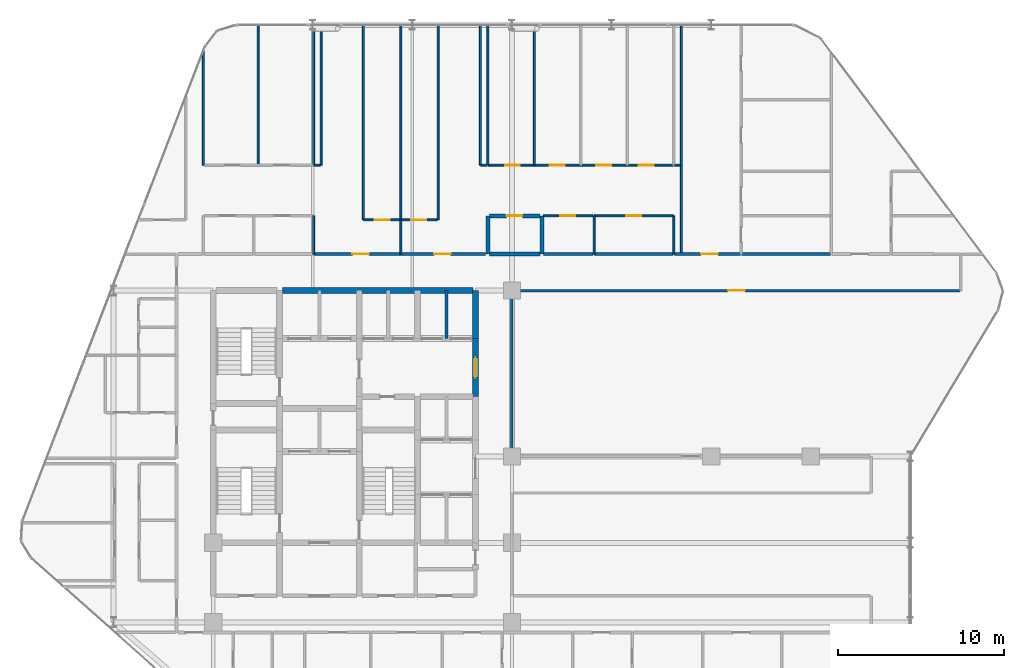
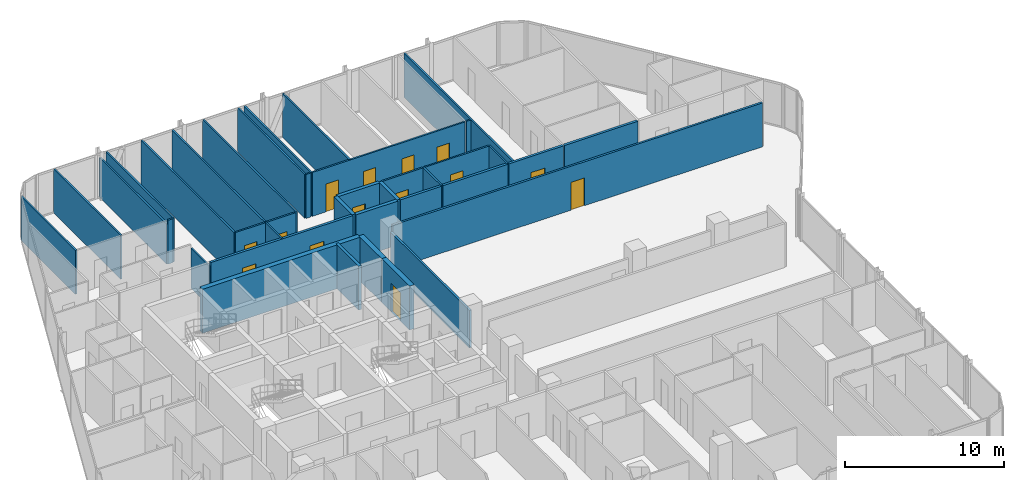
# One storey, part 28 of 30: 37 walls, 14 doors, 14 openings.
"""IFC4 building model written with IfcOpenShell, lengths in metres."""

from ifc_helpers import new_model, si_unit, direction, frame, frame_2d, origin, place, context, subcontext, project, spatial, rectangle, extrude, material, layer, layer_set, type_object, element, fill, save


model = new_model("IFC4")

# Units and contexts
model_context = context("Model", 3, precision=1e-05, world=origin(), true_north=direction((0.0, 1.0)))
body_context = subcontext(model_context, "Body", "Model", "MODEL_VIEW")
ifc_project = project(units=[si_unit("LENGTHUNIT", "METRE"), si_unit("AREAUNIT", "SQUARE_METRE"), si_unit("VOLUMEUNIT", "CUBIC_METRE"), si_unit("PLANEANGLEUNIT", "RADIAN"), si_unit("MASSUNIT", "GRAM", prefix="KILO")], contexts=[model_context])

# Site, building, storey
site_placement = place(None, origin())
site = spatial("IfcSite", under=ifc_project, at=site_placement, CompositionType="ELEMENT")
building_placement = place(site_placement, origin())
building = spatial("IfcBuilding", under=site, at=building_placement, Name="Keshet Zoharim Tower", CompositionType="ELEMENT")
storey_placement = place(building_placement, frame((0.0, 0.0, 113.10009765625)))
storey = spatial("IfcBuildingStorey", under=building, at=storey_placement, Name="L27", CompositionType="ELEMENT", Elevation=113.10009765625)

# Wall
ifc_material_1 = material(Name="Gypsum Plasterboard", Category="gypsum")
ifc_layer_1 = layer(ifc_material_1, 0.14990234375)
ifc_layer_set_1 = layer_set([ifc_layer_1], Name="Gypsum Plasterboard")
wall_type_1 = type_object("IfcWallType", Name="WL-CLIN-150", PredefinedType="STANDARD", material=ifc_layer_set_1)
wall_1_placement = place(storey_placement, frame((33.0, 27.909912109375, 0.0), z_axis=(0.0, 0.0, 1.0), x_axis=(0.0, 1.0, 0.0)))
element("IfcWall", 1, at=wall_1_placement, inside=storey, type_object=wall_type_1, Name="L27 Interior Wall 078", PredefinedType="STANDARD", context=body_context, shape_type="SweptSolid", body=[
    extrude(rectangle(XDim=9.97998046875, YDim=0.14990234375, at=frame_2d((4.989990234375, 0.0))), origin(), (0.0, 0.0, 1.0), 2.885009765625),
])

# Wall, opening, door
wall_2_placement = place(storey_placement, frame((33.070068359375, 37.89990234375, 0.0), z_axis=(0.0, 0.0, 1.0), x_axis=(1.0, 0.0, 0.0)))
wall_2 = element("IfcWall", 2, at=wall_2_placement, inside=storey, type_object=wall_type_1, Name="L27 Interior Wall 183", PredefinedType="STANDARD", context=body_context, shape_type="SweptSolid", body=[
    extrude(rectangle(XDim=26.934814453125, YDim=0.14990234375, at=frame_2d((13.46728515625, 0.0))), origin(), (0.0, 0.0, 1.0), 3.385009765625),
])
opening_1_placement = place(wall_2_placement, frame((12.9599609375, 0.0, 0.0)))
opening_1 = element("IfcOpeningElement", 3, at=opening_1_placement, cuts=wall_2, Name="Opening D-F310", PredefinedType="OPENING", context=body_context, shape_type="SweptSolid", body=[
    extrude(rectangle(XDim=1.0, YDim=2.14990234375, at=frame_2d((0.5, 1.074951171875))), frame((0.0, 0.0849609375, 0.0), z_axis=(0.0, -1.0, 0.0), x_axis=(1.0, 0.0, 0.0)), (0.0, 0.0, 1.0), 0.169921875),
])
ifc_material_2 = material(Name="Hardwood Timber", Category="wood")
door_type_1 = type_object("IfcDoorType", Name="DR-FD30-100", OperationType="NOTDEFINED", PredefinedType="DOOR", material=ifc_material_2)
door_1_placement = place(opening_1_placement, origin())
door_1 = element("IfcDoor", 4, at=door_1_placement, inside=storey, type_object=door_type_1, Name="L27 North East Residents Services Suite Door 1", OperationType="SINGLE_SWING_LEFT", OverallHeight=2.14990234375, OverallWidth=1.0, PredefinedType="DOOR", context=body_context, shape_type="SweptSolid", body=[
    extrude(rectangle(XDim=1.0, YDim=2.14990234375, at=frame_2d((0.5, 1.074951171875))), frame((0.0, 0.02490234375, 0.0), z_axis=(0.0, -1.0, 0.0), x_axis=(1.0, 0.0, 0.0)), (0.0, 0.0, 1.0), 0.050048828125),
])
fill(opening_1, door_1)

ifc_material_3 = material(Name="Concrete C60/75", Category="concrete")
ifc_layer_2 = layer(ifc_material_3, 0.35009765625)
ifc_layer_set_2 = layer_set([ifc_layer_2], Name="Concrete C60/75")
wall_type_2 = type_object("IfcWallType", Name="WL-CORE-350", PredefinedType="SHEAR", material=ifc_layer_set_2)
wall_3_placement = place(storey_placement, frame((30.800048828125, 31.5, 0.0), z_axis=(0.0, 0.0, 1.0), x_axis=(0.0, 1.0, 0.0)))
wall_3 = element("IfcWall", 5, at=wall_3_placement, inside=storey, type_object=wall_type_2, Name="L27 Core Shear Wall 069", PredefinedType="SHEAR", context=body_context, shape_type="SweptSolid", body=[
    extrude(rectangle(XDim=3.5, YDim=0.35009765625, at=frame_2d((1.75, 0.0))), origin(), (0.0, 0.0, 1.0), 3.385009765625),
])
opening_2_placement = place(wall_3_placement, frame((1.14990234375, 0.0, 0.0)))
opening_2 = element("IfcOpeningElement", 6, at=opening_2_placement, cuts=wall_3, Name="Opening D-F612", PredefinedType="OPENING", context=body_context, shape_type="SweptSolid", body=[
    extrude(rectangle(XDim=1.199951171875, YDim=2.199951171875, at=frame_2d((0.60009765625, 1.10009765625))), frame((0.0, 0.18505859375, 0.0), z_axis=(0.0, -1.0, 0.0), x_axis=(1.0, 0.0, 0.0)), (0.0, 0.0, 1.0), 0.3701171875),
])
door_type_2 = type_object("IfcDoorType", Name="DR-FD60-120", OperationType="NOTDEFINED", PredefinedType="DOOR", material=ifc_material_2)
door_2_placement = place(opening_2_placement, origin())
door_2 = element("IfcDoor", 7, at=door_2_placement, inside=storey, type_object=door_type_2, Name="L27 North Lift Lobby East Fire Door", OperationType="SINGLE_SWING_LEFT", OverallHeight=2.199951171875, OverallWidth=1.199951171875, PredefinedType="DOOR", context=body_context, shape_type="SweptSolid", body=[
    extrude(rectangle(XDim=1.199951171875, YDim=2.199951171875, at=frame_2d((0.60009765625, 1.10009765625))), frame((0.0, 0.02490234375, 0.0), z_axis=(0.0, -1.0, 0.0), x_axis=(1.0, 0.0, 0.0)), (0.0, 0.0, 1.0), 0.050048828125),
])
fill(opening_2, door_2)

# Walls
wall_4_placement = place(storey_placement, frame((30.800048828125, 35.0, 0.0), z_axis=(0.0, 0.0, 1.0), x_axis=(0.0, 1.0, 0.0)))
element("IfcWall", 8, at=wall_4_placement, inside=storey, type_object=wall_type_2, Name="L27 Core Shear Wall 070", PredefinedType="SHEAR", context=body_context, shape_type="SweptSolid", body=[
    extrude(rectangle(XDim=2.89990234375, YDim=0.35009765625, at=frame_2d((1.449951171875, 0.0))), origin(), (0.0, 0.0, 1.0), 3.385009765625),
])
wall_5_placement = place(storey_placement, frame((19.159912109375, 37.89990234375, 0.0), z_axis=(0.0, 0.0, 1.0), x_axis=(1.0, 0.0, 0.0)))
element("IfcWall", 9, at=wall_5_placement, inside=storey, type_object=wall_type_2, Name="L27 Core Shear Wall 182", PredefinedType="SHEAR", context=body_context, shape_type="SweptSolid", body=[
    extrude(rectangle(XDim=11.47998046875, YDim=0.35009765625, at=frame_2d((5.739990234375, 0.0))), origin(), (0.0, 0.0, 1.0), 3.385009765625),
])

# Wall, openings, doors
ifc_layer_3 = layer(ifc_material_1, 0.179931640625)
ifc_layer_set_3 = layer_set([ifc_layer_3], Name="Gypsum Plasterboard")
wall_type_3 = type_object("IfcWallType", Name="WL-CORR-180", PredefinedType="STANDARD", material=ifc_layer_set_3)
wall_6_placement = place(storey_placement, frame((21.074951171875, 40.10009765625, 0.0), z_axis=(0.0, 0.0, 1.0), x_axis=(1.0, 0.0, 0.0)))
wall_6 = element("IfcWall", 10, at=wall_6_placement, inside=storey, type_object=wall_type_3, Name="L27 Interior Wall 188", PredefinedType="STANDARD", context=body_context, shape_type="SweptSolid", body=[
    extrude(rectangle(XDim=10.344970703125, YDim=0.179931640625, at=frame_2d((5.17236328125, 0.0))), origin(), (0.0, 0.0, 1.0), 3.385009765625),
])
opening_3_placement = place(wall_6_placement, frame((2.304931640625, 0.0, 0.0)))
opening_3 = element("IfcOpeningElement", 11, at=opening_3_placement, cuts=wall_6, Name="Opening D-F310", PredefinedType="OPENING", context=body_context, shape_type="SweptSolid", body=[
    extrude(rectangle(XDim=1.0, YDim=2.14990234375, at=frame_2d((0.5, 1.074951171875))), frame((0.0, 0.10009765625, 0.0), z_axis=(0.0, -1.0, 0.0), x_axis=(1.0, 0.0, 0.0)), (0.0, 0.0, 1.0), 0.199951171875),
])
opening_4_placement = place(wall_6_placement, frame((7.235107421875, 0.0, 0.0)))
opening_4 = element("IfcOpeningElement", 12, at=opening_4_placement, cuts=wall_6, Name="Opening D-F310", PredefinedType="OPENING", context=body_context, shape_type="SweptSolid", body=[
    extrude(rectangle(XDim=1.0, YDim=2.14990234375, at=frame_2d((0.5, 1.074951171875))), frame((0.0, 0.10009765625, 0.0), z_axis=(0.0, -1.0, 0.0), x_axis=(1.0, 0.0, 0.0)), (0.0, 0.0, 1.0), 0.199951171875),
])
door_3_placement = place(opening_3_placement, origin())
door_3 = element("IfcDoor", 13, at=door_3_placement, inside=storey, type_object=door_type_1, Name="Apartment 2705 Entrance Door", OperationType="SINGLE_SWING_RIGHT", OverallHeight=2.14990234375, OverallWidth=1.0, PredefinedType="DOOR", context=body_context, shape_type="SweptSolid", body=[
    extrude(rectangle(XDim=1.0, YDim=2.14990234375, at=frame_2d((0.5, 1.074951171875))), frame((0.0, 0.02490234375, 0.0), z_axis=(0.0, -1.0, 0.0), x_axis=(1.0, 0.0, 0.0)), (0.0, 0.0, 1.0), 0.050048828125),
])
fill(opening_3, door_3)
door_4_placement = place(opening_4_placement, origin())
door_4 = element("IfcDoor", 14, at=door_4_placement, inside=storey, type_object=door_type_1, Name="Apartment 2706 Entrance Door", OperationType="SINGLE_SWING_LEFT", OverallHeight=2.14990234375, OverallWidth=1.0, PredefinedType="DOOR", context=body_context, shape_type="SweptSolid", body=[
    extrude(rectangle(XDim=1.0, YDim=2.14990234375, at=frame_2d((0.5, 1.074951171875))), frame((0.0, 0.02490234375, 0.0), z_axis=(0.0, -1.0, 0.0), x_axis=(1.0, 0.0, 0.0)), (0.0, 0.0, 1.0), 0.050048828125),
])
fill(opening_4, door_4)

# Walls
wall_7_placement = place(storey_placement, frame((34.89404296875, 40.10009765625, 0.0), z_axis=(0.0, 0.0, 1.0), x_axis=(1.0, 0.0, 0.0)))
element("IfcWall", 15, at=wall_7_placement, inside=storey, type_object=wall_type_3, Name="L27 Interior Wall 190", PredefinedType="STANDARD", context=body_context, shape_type="SweptSolid", body=[
    extrude(rectangle(XDim=2.987060546875, YDim=0.179931640625, at=frame_2d((1.49365234375, 0.0))), origin(), (0.0, 0.0, 1.0), 3.385009765625),
])
wall_8_placement = place(storey_placement, frame((37.970947265625, 40.10009765625, 0.0), z_axis=(0.0, 0.0, 1.0), x_axis=(1.0, 0.0, 0.0)))
element("IfcWall", 16, at=wall_8_placement, inside=storey, type_object=wall_type_3, Name="L27 Interior Wall 191", PredefinedType="STANDARD", context=body_context, shape_type="SweptSolid", body=[
    extrude(rectangle(XDim=4.734130859375, YDim=0.179931640625, at=frame_2d((2.3671875, 0.0))), origin(), (0.0, 0.0, 1.0), 3.385009765625),
])

# Wall, opening, door
wall_9_placement = place(storey_placement, frame((42.794921875, 40.10009765625, 0.0), z_axis=(0.0, 0.0, 1.0), x_axis=(1.0, 0.0, 0.0)))
wall_9 = element("IfcWall", 17, at=wall_9_placement, inside=storey, type_object=wall_type_3, Name="L27 Interior Wall 192", PredefinedType="STANDARD", context=body_context, shape_type="SweptSolid", body=[
    extrude(rectangle(XDim=3.9599609375, YDim=0.179931640625, at=frame_2d((1.97998046875, 0.0))), origin(), (0.0, 0.0, 1.0), 3.385009765625),
])
opening_5_placement = place(wall_9_placement, frame((1.60888671875, 0.0, 0.0)))
opening_5 = element("IfcOpeningElement", 18, at=opening_5_placement, cuts=wall_9, Name="Opening D-F310", PredefinedType="OPENING", context=body_context, shape_type="SweptSolid", body=[
    extrude(rectangle(XDim=1.0, YDim=2.14990234375, at=frame_2d((0.5, 1.074951171875))), frame((0.0, 0.10009765625, 0.0), z_axis=(0.0, -1.0, 0.0), x_axis=(1.0, 0.0, 0.0)), (0.0, 0.0, 1.0), 0.199951171875),
])
door_5_placement = place(opening_5_placement, origin())
door_5 = element("IfcDoor", 19, at=door_5_placement, inside=storey, type_object=door_type_1, Name="Apartment 2707 Entrance Door", OperationType="SINGLE_SWING_RIGHT", OverallHeight=2.14990234375, OverallWidth=1.0, PredefinedType="DOOR", context=body_context, shape_type="SweptSolid", body=[
    extrude(rectangle(XDim=1.0, YDim=2.14990234375, at=frame_2d((0.5, 1.074951171875))), frame((0.0, 0.02490234375, 0.0), z_axis=(0.0, -1.0, 0.0), x_axis=(1.0, 0.0, 0.0)), (0.0, 0.0, 1.0), 0.050048828125),
])
fill(opening_5, door_5)

# Walls
wall_10_placement = place(storey_placement, frame((46.844970703125, 40.10009765625, 0.0), z_axis=(0.0, 0.0, 1.0), x_axis=(1.0, 0.0, 0.0)))
element("IfcWall", 20, at=wall_10_placement, inside=storey, type_object=wall_type_3, Name="L27 Interior Wall 193", PredefinedType="STANDARD", context=body_context, shape_type="SweptSolid", body=[
    extrude(rectangle(XDim=5.340087890625, YDim=0.179931640625, at=frame_2d((2.669921875, 0.0))), origin(), (0.0, 0.0, 1.0), 3.385009765625),
])
ifc_material_4 = material(Name="Concrete C50/60", Category="concrete")
ifc_layer_4 = layer(ifc_material_4, 0.199951171875)
ifc_layer_set_4 = layer_set([ifc_layer_4], Name="Concrete C50/60")
wall_type_4 = type_object("IfcWallType", Name="WL-FIRE-200", PredefinedType="STANDARD", material=ifc_layer_set_4)
wall_11_placement = place(storey_placement, frame((29.050048828125, 35.0, 0.0), z_axis=(0.0, 0.0, 1.0), x_axis=(0.0, 1.0, 0.0)))
element("IfcWall", 21, at=wall_11_placement, inside=storey, type_object=wall_type_4, Name="L27 Interior Wall 063", PredefinedType="STANDARD", context=body_context, shape_type="SweptSolid", body=[
    extrude(rectangle(XDim=2.89990234375, YDim=0.199951171875, at=frame_2d((1.449951171875, 0.0))), origin(), (0.0, 0.0, 1.0), 3.385009765625),
])
ifc_layer_5 = layer(ifc_material_4, 0.25)
ifc_layer_set_5 = layer_set([ifc_layer_5], Name="Concrete C50/60")
wall_type_5 = type_object("IfcWallType", Name="WL-MAMAD-250", PredefinedType="STANDARD", material=ifc_layer_set_5)
for number, where, z_axis, x_axis, name in (
    (22, (31.550048828125, 40.10009765625, 0.0), (0.0, 0.0, 1.0), (0.0, 1.0, 0.0), "L27 Interior Wall 072"),
    (23, (34.800048828125, 40.10009765625, 0.0), (0.0, 0.0, 1.0), (0.0, 1.0, 0.0), "L27 Interior Wall 080"),
):
    element("IfcWall", number, at=place(storey_placement, frame(where, z_axis=z_axis, x_axis=x_axis)), inside=storey, type_object=wall_type_5, Name=name, PredefinedType="STANDARD", context=body_context, shape_type="SweptSolid", body=[
        extrude(rectangle(XDim=2.2998046875, YDim=0.25, at=frame_2d((1.14990234375, 0.0))), origin(), (0.0, 0.0, 1.0), 3.385009765625),
    ])
wall_12_placement = place(storey_placement, frame((31.639892578125, 40.10009765625, 0.0), z_axis=(0.0, 0.0, 1.0), x_axis=(1.0, 0.0, 0.0)))
element("IfcWall", 24, at=wall_12_placement, inside=storey, type_object=wall_type_5, Name="L27 Interior Wall 189", PredefinedType="STANDARD", context=body_context, shape_type="SweptSolid", body=[
    extrude(rectangle(XDim=3.0341796875, YDim=0.25, at=frame_2d((1.51708984375, 0.0))), origin(), (0.0, 0.0, 1.0), 3.385009765625),
])

# Wall, opening, door
wall_13_placement = place(storey_placement, frame((31.639892578125, 42.39990234375, 0.0), z_axis=(0.0, 0.0, 1.0), x_axis=(1.0, 0.0, 0.0)))
wall_13 = element("IfcWall", 25, at=wall_13_placement, inside=storey, type_object=wall_type_5, Name="L27 Interior Wall 202", PredefinedType="STANDARD", context=body_context, shape_type="SweptSolid", body=[
    extrude(rectangle(XDim=3.0341796875, YDim=0.25, at=frame_2d((1.51708984375, 0.0))), origin(), (0.0, 0.0, 1.0), 3.385009765625),
])
opening_6_placement = place(wall_13_placement, frame((1.0419921875, 0.0, 0.0)))
opening_6 = element("IfcOpeningElement", 26, at=opening_6_placement, cuts=wall_13, Name="Opening D-F695", PredefinedType="OPENING", context=body_context, shape_type="SweptSolid", body=[
    extrude(rectangle(XDim=0.949951171875, YDim=2.14990234375, at=frame_2d((0.47509765625, 1.074951171875))), frame((0.0, 0.135009765625, 0.0), z_axis=(0.0, -1.0, 0.0), x_axis=(1.0, 0.0, 0.0)), (0.0, 0.0, 1.0), 0.27001953125),
])
door_type_3 = type_object("IfcDoorType", Name="DR-FD60-095", OperationType="NOTDEFINED", PredefinedType="DOOR", material=ifc_material_2)
door_6_placement = place(opening_6_placement, origin())
door_6 = element("IfcDoor", 27, at=door_6_placement, inside=storey, type_object=door_type_3, Name="Apartment 2706 Study and Shelter Room Door", OperationType="SINGLE_SWING_LEFT", OverallHeight=2.14990234375, OverallWidth=0.949951171875, PredefinedType="DOOR", context=body_context, shape_type="SweptSolid", body=[
    extrude(rectangle(XDim=0.949951171875, YDim=2.14990234375, at=frame_2d((0.47509765625, 1.074951171875))), frame((0.0, 0.02490234375, 0.0), z_axis=(0.0, -1.0, 0.0), x_axis=(1.0, 0.0, 0.0)), (0.0, 0.0, 1.0), 0.050048828125),
])
fill(opening_6, door_6)

# Walls
ifc_layer_6 = layer(ifc_material_1, 0.1201171875)
ifc_layer_set_6 = layer_set([ifc_layer_6], Name="Gypsum Plasterboard")
wall_type_6 = type_object("IfcWallType", Name="WL-PART-120", PredefinedType="PARTITIONING", material=ifc_layer_set_6)
wall_14_placement = place(storey_placement, frame((14.39990234375, 45.449951171875, 0.0), z_axis=(0.0, 0.0, 1.0), x_axis=(0.0, 1.0, 0.0)))
element("IfcWall", 28, at=wall_14_placement, inside=storey, type_object=wall_type_6, Name="L27 Interior Wall 018", PredefinedType="PARTITIONING", context=body_context, shape_type="SweptSolid", body=[
    extrude(rectangle(XDim=6.880126953125, YDim=0.1201171875, at=frame_2d((3.43994140625, 0.0))), origin(), (0.0, 0.0, 1.0), 3.385009765625),
])
wall_15_placement = place(storey_placement, frame((17.699951171875, 45.449951171875, 0.0), z_axis=(0.0, 0.0, 1.0), x_axis=(0.0, 1.0, 0.0)))
element("IfcWall", 29, at=wall_15_placement, inside=storey, type_object=wall_type_6, Name="L27 Interior Wall 026", PredefinedType="PARTITIONING", context=body_context, shape_type="SweptSolid", body=[
    extrude(rectangle(XDim=8.43994140625, YDim=0.1201171875, at=frame_2d((4.219970703125, 0.0))), origin(), (0.0, 0.0, 1.0), 3.385009765625),
])
wall_16_placement = place(storey_placement, frame((21.050048828125, 45.449951171875, 0.0), z_axis=(0.0, 0.0, 1.0), x_axis=(0.0, 1.0, 0.0)))
element("IfcWall", 30, at=wall_16_placement, inside=storey, type_object=wall_type_6, Name="L27 Interior Wall 036", PredefinedType="PARTITIONING", context=body_context, shape_type="SweptSolid", body=[
    extrude(rectangle(XDim=8.43994140625, YDim=0.1201171875, at=frame_2d((4.219970703125, 0.0))), origin(), (0.0, 0.0, 1.0), 3.0849609375),
])
wall_17_placement = place(storey_placement, frame((21.5, 45.449951171875, 0.0), z_axis=(0.0, 0.0, 1.0), x_axis=(0.0, 1.0, 0.0)))
element("IfcWall", 31, at=wall_17_placement, inside=storey, type_object=wall_type_6, Name="L27 Interior Wall 039", PredefinedType="PARTITIONING", context=body_context, shape_type="SweptSolid", body=[
    extrude(rectangle(XDim=8.43994140625, YDim=0.1201171875, at=frame_2d((4.219970703125, 0.0))), origin(), (0.0, 0.0, 1.0), 3.385009765625),
])
wall_18_placement = place(storey_placement, frame((24.050048828125, 42.14990234375, 0.0), z_axis=(0.0, 0.0, 1.0), x_axis=(0.0, 1.0, 0.0)))
element("IfcWall", 32, at=wall_18_placement, inside=storey, type_object=wall_type_6, Name="L27 Interior Wall 047", PredefinedType="PARTITIONING", context=body_context, shape_type="SweptSolid", body=[
    extrude(rectangle(XDim=11.739990234375, YDim=0.1201171875, at=frame_2d((5.8701171875, 0.0))), origin(), (0.0, 0.0, 1.0), 3.385009765625),
])
wall_19_placement = place(storey_placement, frame((26.300048828125, 40.10009765625, 0.0), z_axis=(0.0, 0.0, 1.0), x_axis=(0.0, 1.0, 0.0)))
element("IfcWall", 33, at=wall_19_placement, inside=storey, type_object=wall_type_6, Name="L27 Interior Wall 050", PredefinedType="PARTITIONING", context=body_context, shape_type="SweptSolid", body=[
    extrude(rectangle(XDim=2.0498046875, YDim=0.1201171875, at=frame_2d((1.02490234375, 0.0))), origin(), (0.0, 0.0, 1.0), 3.385009765625),
])
for number, where, z_axis, x_axis, name in (
    (34, (26.300048828125, 42.14990234375, 0.0), (0.0, 0.0, 1.0), (0.0, 1.0, 0.0), "L27 Interior Wall 051"),
    (35, (28.550048828125, 42.14990234375, 0.0), (0.0, 0.0, 1.0), (0.0, 1.0, 0.0), "L27 Interior Wall 059"),
):
    element("IfcWall", number, at=place(storey_placement, frame(where, z_axis=z_axis, x_axis=x_axis)), inside=storey, type_object=wall_type_6, Name=name, PredefinedType="PARTITIONING", context=body_context, shape_type="SweptSolid", body=[
        extrude(rectangle(XDim=11.739990234375, YDim=0.1201171875, at=frame_2d((5.8701171875, 0.0))), origin(), (0.0, 0.0, 1.0), 3.385009765625),
    ])
for number, where, z_axis, x_axis, name in (
    (36, (31.10009765625, 45.449951171875, 0.0), (0.0, 0.0, 1.0), (0.0, 1.0, 0.0), "L27 Interior Wall 071"),
    (37, (31.550048828125, 45.449951171875, 0.0), (0.0, 0.0, 1.0), (0.0, 1.0, 0.0), "L27 Interior Wall 073"),
    (38, (34.35009765625, 45.449951171875, 0.0), (0.0, 0.0, 1.0), (0.0, 1.0, 0.0), "L27 Interior Wall 079"),
):
    element("IfcWall", number, at=place(storey_placement, frame(where, z_axis=z_axis, x_axis=x_axis)), inside=storey, type_object=wall_type_6, Name=name, PredefinedType="PARTITIONING", context=body_context, shape_type="SweptSolid", body=[
        extrude(rectangle(XDim=8.43994140625, YDim=0.1201171875, at=frame_2d((4.219970703125, 0.0))), origin(), (0.0, 0.0, 1.0), 3.385009765625),
    ])
wall_20_placement = place(storey_placement, frame((42.75, 40.10009765625, 0.0), z_axis=(0.0, 0.0, 1.0), x_axis=(0.0, 1.0, 0.0)))
element("IfcWall", 39, at=wall_20_placement, inside=storey, type_object=wall_type_6, Name="L27 Interior Wall 090", PredefinedType="PARTITIONING", context=body_context, shape_type="SweptSolid", body=[
    extrude(rectangle(XDim=2.2998046875, YDim=0.1201171875, at=frame_2d((1.14990234375, 0.0))), origin(), (0.0, 0.0, 1.0), 3.385009765625),
])
wall_21_placement = place(storey_placement, frame((43.199951171875, 40.10009765625, 0.0), z_axis=(0.0, 0.0, 1.0), x_axis=(0.0, 1.0, 0.0)))
element("IfcWall", 40, at=wall_21_placement, inside=storey, type_object=wall_type_6, Name="L27 Interior Wall 092", PredefinedType="PARTITIONING", context=body_context, shape_type="SweptSolid", body=[
    extrude(rectangle(XDim=13.789794921875, YDim=0.1201171875, at=frame_2d((6.89501953125, 0.0))), origin(), (0.0, 0.0, 1.0), 3.385009765625),
])

# Wall, openings, doors
wall_22_placement = place(storey_placement, frame((24.074951171875, 42.14990234375, 0.0), z_axis=(0.0, 0.0, 1.0), x_axis=(1.0, 0.0, 0.0)))
wall_22 = element("IfcWall", 41, at=wall_22_placement, inside=storey, type_object=wall_type_6, Name="L27 Interior Wall 199", PredefinedType="PARTITIONING", context=body_context, shape_type="SweptSolid", body=[
    extrude(rectangle(XDim=4.41015625, YDim=0.1201171875, at=frame_2d((2.205078125, 0.0))), origin(), (0.0, 0.0, 1.0), 3.385009765625),
])
opening_7_placement = place(wall_22_placement, frame((0.655029296875, 0.0, 0.0)))
opening_7 = element("IfcOpeningElement", 42, at=opening_7_placement, cuts=wall_22, Name="Opening D-IN90", PredefinedType="OPENING", context=body_context, shape_type="SweptSolid", body=[
    extrude(rectangle(XDim=0.89990234375, YDim=2.14990234375, at=frame_2d((0.449951171875, 1.074951171875))), frame((0.0, 0.070068359375, 0.0), z_axis=(0.0, -1.0, 0.0), x_axis=(1.0, 0.0, 0.0)), (0.0, 0.0, 1.0), 0.14013671875),
])
opening_8_placement = place(wall_22_placement, frame((2.85498046875, 0.0, 0.0)))
opening_8 = element("IfcOpeningElement", 43, at=opening_8_placement, cuts=wall_22, Name="Opening D-IN90", PredefinedType="OPENING", context=body_context, shape_type="SweptSolid", body=[
    extrude(rectangle(XDim=0.89990234375, YDim=2.14990234375, at=frame_2d((0.449951171875, 1.074951171875))), frame((0.0, 0.070068359375, 0.0), z_axis=(0.0, -1.0, 0.0), x_axis=(1.0, 0.0, 0.0)), (0.0, 0.0, 1.0), 0.14013671875),
])
door_type_4 = type_object("IfcDoorType", Name="DR-INT-090", OperationType="NOTDEFINED", PredefinedType="DOOR", material=ifc_material_2)
door_7_placement = place(opening_7_placement, origin())
door_7 = element("IfcDoor", 44, at=door_7_placement, inside=storey, type_object=door_type_4, Name="Apartment 2705 Formal Dining Room Door", OperationType="SINGLE_SWING_LEFT", OverallHeight=2.14990234375, OverallWidth=0.89990234375, PredefinedType="DOOR", context=body_context, shape_type="SweptSolid", body=[
    extrude(rectangle(XDim=0.89990234375, YDim=2.14990234375, at=frame_2d((0.449951171875, 1.074951171875))), frame((0.0, 0.02490234375, 0.0), z_axis=(0.0, -1.0, 0.0), x_axis=(1.0, 0.0, 0.0)), (0.0, 0.0, 1.0), 0.050048828125),
])
fill(opening_7, door_7)
door_8_placement = place(opening_8_placement, origin())
door_8 = element("IfcDoor", 45, at=door_8_placement, inside=storey, type_object=door_type_4, Name="Apartment 2706 Formal Dining Room Door", OperationType="SINGLE_SWING_RIGHT", OverallHeight=2.14990234375, OverallWidth=0.89990234375, PredefinedType="DOOR", context=body_context, shape_type="SweptSolid", body=[
    extrude(rectangle(XDim=0.89990234375, YDim=2.14990234375, at=frame_2d((0.449951171875, 1.074951171875))), frame((0.0, 0.02490234375, 0.0), z_axis=(0.0, -1.0, 0.0), x_axis=(1.0, 0.0, 0.0)), (0.0, 0.0, 1.0), 0.050048828125),
])
fill(opening_8, door_8)

# Wall, opening, door
wall_23_placement = place(storey_placement, frame((37.970947265625, 42.39990234375, 0.0), z_axis=(0.0, 0.0, 1.0), x_axis=(1.0, 0.0, 0.0)))
wall_23 = element("IfcWall", 46, at=wall_23_placement, inside=storey, type_object=wall_type_6, Name="L27 Interior Wall 204", PredefinedType="PARTITIONING", context=body_context, shape_type="SweptSolid", body=[
    extrude(rectangle(XDim=4.734130859375, YDim=0.1201171875, at=frame_2d((2.3671875, 0.0))), origin(), (0.0, 0.0, 1.0), 3.385009765625),
])
opening_9_placement = place(wall_23_placement, frame((1.9169921875, 0.0, 0.0)))
opening_9 = element("IfcOpeningElement", 47, at=opening_9_placement, cuts=wall_23, Name="Opening D-IN90", PredefinedType="OPENING", context=body_context, shape_type="SweptSolid", body=[
    extrude(rectangle(XDim=0.89990234375, YDim=2.14990234375, at=frame_2d((0.449951171875, 1.074951171875))), frame((0.0, 0.070068359375, 0.0), z_axis=(0.0, -1.0, 0.0), x_axis=(1.0, 0.0, 0.0)), (0.0, 0.0, 1.0), 0.14013671875),
])
door_9_placement = place(opening_9_placement, origin())
door_9 = element("IfcDoor", 48, at=door_9_placement, inside=storey, type_object=door_type_4, Name="Apartment 2706 Kitchen Door", OperationType="SINGLE_SWING_LEFT", OverallHeight=2.14990234375, OverallWidth=0.89990234375, PredefinedType="DOOR", context=body_context, shape_type="SweptSolid", body=[
    extrude(rectangle(XDim=0.89990234375, YDim=2.14990234375, at=frame_2d((0.449951171875, 1.074951171875))), frame((0.0, 0.02490234375, 0.0), z_axis=(0.0, -1.0, 0.0), x_axis=(1.0, 0.0, 0.0)), (0.0, 0.0, 1.0), 0.050048828125),
])
fill(opening_9, door_9)

# Walls
for number, where, z_axis, x_axis, name in (
    (49, (21.074951171875, 45.449951171875, 0.0), (0.0, 0.0, 1.0), (1.0, 0.0, 0.0), "L27 Interior Wall 210"),
    (50, (31.125, 45.449951171875, 0.0), (0.0, 0.0, 1.0), (1.0, 0.0, 0.0), "L27 Interior Wall 211"),
):
    element("IfcWall", number, at=place(storey_placement, frame(where, z_axis=z_axis, x_axis=x_axis)), inside=storey, type_object=wall_type_6, Name=name, PredefinedType="PARTITIONING", context=body_context, shape_type="SweptSolid", body=[
        extrude(rectangle(XDim=0.360107421875, YDim=0.1201171875, at=frame_2d((0.18017578125, 0.0))), origin(), (0.0, 0.0, 1.0), 3.385009765625),
    ])

# Wall, openings, doors
wall_24_placement = place(storey_placement, frame((31.574951171875, 45.449951171875, 0.0), z_axis=(0.0, 0.0, 1.0), x_axis=(1.0, 0.0, 0.0)))
wall_24 = element("IfcWall", 51, at=wall_24_placement, inside=storey, type_object=wall_type_6, Name="L27 Interior Wall 212", PredefinedType="PARTITIONING", context=body_context, shape_type="SweptSolid", body=[
    extrude(rectangle(XDim=11.130126953125, YDim=0.1201171875, at=frame_2d((5.56494140625, 0.0))), origin(), (0.0, 0.0, 1.0), 3.385009765625),
])
opening_10_placement = place(wall_24_placement, frame((1.008056640625, 0.0, 0.0)))
opening_10 = element("IfcOpeningElement", 52, at=opening_10_placement, cuts=wall_24, Name="Opening D-IN90", PredefinedType="OPENING", context=body_context, shape_type="SweptSolid", body=[
    extrude(rectangle(XDim=0.89990234375, YDim=2.14990234375, at=frame_2d((0.449951171875, 1.074951171875))), frame((0.0, 0.070068359375, 0.0), z_axis=(0.0, -1.0, 0.0), x_axis=(1.0, 0.0, 0.0)), (0.0, 0.0, 1.0), 0.14013671875),
])
opening_11_placement = place(wall_24_placement, frame((3.712890625, 0.0, 0.0)))
opening_11 = element("IfcOpeningElement", 53, at=opening_11_placement, cuts=wall_24, Name="Opening D-IN90", PredefinedType="OPENING", context=body_context, shape_type="SweptSolid", body=[
    extrude(rectangle(XDim=0.89990234375, YDim=2.14990234375, at=frame_2d((0.449951171875, 1.074951171875))), frame((0.0, 0.070068359375, 0.0), z_axis=(0.0, -1.0, 0.0), x_axis=(1.0, 0.0, 0.0)), (0.0, 0.0, 1.0), 0.14013671875),
])
opening_12_placement = place(wall_24_placement, frame((6.51806640625, 0.0, 0.0)))
opening_12 = element("IfcOpeningElement", 54, at=opening_12_placement, cuts=wall_24, Name="Opening D-IN90", PredefinedType="OPENING", context=body_context, shape_type="SweptSolid", body=[
    extrude(rectangle(XDim=0.89990234375, YDim=2.14990234375, at=frame_2d((0.449951171875, 1.074951171875))), frame((0.0, 0.070068359375, 0.0), z_axis=(0.0, -1.0, 0.0), x_axis=(1.0, 0.0, 0.0)), (0.0, 0.0, 1.0), 0.14013671875),
])
opening_13_placement = place(wall_24_placement, frame((9.072998046875, 0.0, 0.0)))
opening_13 = element("IfcOpeningElement", 55, at=opening_13_placement, cuts=wall_24, Name="Opening D-IN90", PredefinedType="OPENING", context=body_context, shape_type="SweptSolid", body=[
    extrude(rectangle(XDim=0.89990234375, YDim=2.14990234375, at=frame_2d((0.449951171875, 1.074951171875))), frame((0.0, 0.070068359375, 0.0), z_axis=(0.0, -1.0, 0.0), x_axis=(1.0, 0.0, 0.0)), (0.0, 0.0, 1.0), 0.14013671875),
])
door_10_placement = place(opening_10_placement, origin())
door_10 = element("IfcDoor", 56, at=door_10_placement, inside=storey, type_object=door_type_4, Name="Apartment 2706 Bedroom 1 Door", OperationType="SINGLE_SWING_RIGHT", OverallHeight=2.14990234375, OverallWidth=0.89990234375, PredefinedType="DOOR", context=body_context, shape_type="SweptSolid", body=[
    extrude(rectangle(XDim=0.89990234375, YDim=2.14990234375, at=frame_2d((0.449951171875, 1.074951171875))), frame((0.0, 0.02490234375, 0.0), z_axis=(0.0, -1.0, 0.0), x_axis=(1.0, 0.0, 0.0)), (0.0, 0.0, 1.0), 0.050048828125),
])
fill(opening_10, door_10)
door_11_placement = place(opening_11_placement, origin())
door_11 = element("IfcDoor", 57, at=door_11_placement, inside=storey, type_object=door_type_4, Name="Apartment 2706 Bedroom 2 Door", OperationType="SINGLE_SWING_LEFT", OverallHeight=2.14990234375, OverallWidth=0.89990234375, PredefinedType="DOOR", context=body_context, shape_type="SweptSolid", body=[
    extrude(rectangle(XDim=0.89990234375, YDim=2.14990234375, at=frame_2d((0.449951171875, 1.074951171875))), frame((0.0, 0.02490234375, 0.0), z_axis=(0.0, -1.0, 0.0), x_axis=(1.0, 0.0, 0.0)), (0.0, 0.0, 1.0), 0.050048828125),
])
fill(opening_11, door_11)
door_12_placement = place(opening_12_placement, origin())
door_12 = element("IfcDoor", 58, at=door_12_placement, inside=storey, type_object=door_type_4, Name="Apartment 2706 Bedroom 3 Door", OperationType="SINGLE_SWING_RIGHT", OverallHeight=2.14990234375, OverallWidth=0.89990234375, PredefinedType="DOOR", context=body_context, shape_type="SweptSolid", body=[
    extrude(rectangle(XDim=0.89990234375, YDim=2.14990234375, at=frame_2d((0.449951171875, 1.074951171875))), frame((0.0, 0.02490234375, 0.0), z_axis=(0.0, -1.0, 0.0), x_axis=(1.0, 0.0, 0.0)), (0.0, 0.0, 1.0), 0.050048828125),
])
fill(opening_12, door_12)
door_13_placement = place(opening_13_placement, origin())
door_13 = element("IfcDoor", 59, at=door_13_placement, inside=storey, type_object=door_type_4, Name="Apartment 2706 Bedroom 4 Door", OperationType="SINGLE_SWING_LEFT", OverallHeight=2.14990234375, OverallWidth=0.89990234375, PredefinedType="DOOR", context=body_context, shape_type="SweptSolid", body=[
    extrude(rectangle(XDim=0.89990234375, YDim=2.14990234375, at=frame_2d((0.449951171875, 1.074951171875))), frame((0.0, 0.02490234375, 0.0), z_axis=(0.0, -1.0, 0.0), x_axis=(1.0, 0.0, 0.0)), (0.0, 0.0, 1.0), 0.050048828125),
])
fill(opening_13, door_13)

# Walls
wall_25_placement = place(storey_placement, frame((42.794921875, 45.449951171875, 0.0), z_axis=(0.0, 0.0, 1.0), x_axis=(1.0, 0.0, 0.0)))
element("IfcWall", 60, at=wall_25_placement, inside=storey, type_object=wall_type_6, Name="L27 Interior Wall 213", PredefinedType="PARTITIONING", context=body_context, shape_type="SweptSolid", body=[
    extrude(rectangle(XDim=0.360107421875, YDim=0.1201171875, at=frame_2d((0.18017578125, 0.0))), origin(), (0.0, 0.0, 1.0), 3.385009765625),
])
ifc_layer_7 = layer(ifc_material_1, 0.1201171875)
ifc_layer_set_7 = layer_set([ifc_layer_7], Name="Gypsum Plasterboard")
wall_type_7 = type_object("IfcWallType", Name="WL-WET-120", PredefinedType="PARTITIONING", material=ifc_layer_set_7)
wall_26_placement = place(storey_placement, frame((21.050048828125, 40.10009765625, 0.0), z_axis=(0.0, 0.0, 1.0), x_axis=(0.0, 1.0, 0.0)))
element("IfcWall", 61, at=wall_26_placement, inside=storey, type_object=wall_type_7, Name="L27 Interior Wall 035", PredefinedType="PARTITIONING", context=body_context, shape_type="SweptSolid", body=[
    extrude(rectangle(XDim=2.2998046875, YDim=0.1201171875, at=frame_2d((1.14990234375, 0.0))), origin(), (0.0, 0.0, 1.0), 3.0849609375),
])
wall_27_placement = place(storey_placement, frame((37.949951171875, 40.10009765625, 0.0), z_axis=(0.0, 0.0, 1.0), x_axis=(0.0, 1.0, 0.0)))
element("IfcWall", 62, at=wall_27_placement, inside=storey, type_object=wall_type_7, Name="L27 Interior Wall 085", PredefinedType="PARTITIONING", context=body_context, shape_type="SweptSolid", body=[
    extrude(rectangle(XDim=2.2998046875, YDim=0.1201171875, at=frame_2d((1.14990234375, 0.0))), origin(), (0.0, 0.0, 1.0), 3.385009765625),
])

# Wall, opening, door
wall_28_placement = place(storey_placement, frame((34.89404296875, 42.39990234375, 0.0), z_axis=(0.0, 0.0, 1.0), x_axis=(1.0, 0.0, 0.0)))
wall_28 = element("IfcWall", 63, at=wall_28_placement, inside=storey, type_object=wall_type_7, Name="L27 Interior Wall 203", PredefinedType="PARTITIONING", context=body_context, shape_type="SweptSolid", body=[
    extrude(rectangle(XDim=2.987060546875, YDim=0.1201171875, at=frame_2d((1.49365234375, 0.0))), origin(), (0.0, 0.0, 1.0), 3.385009765625),
])
opening_14_placement = place(wall_28_placement, frame((1.010986328125, 0.0, 0.0)))
opening_14 = element("IfcOpeningElement", 64, at=opening_14_placement, cuts=wall_28, Name="Opening D-WT90", PredefinedType="OPENING", context=body_context, shape_type="SweptSolid", body=[
    extrude(rectangle(XDim=0.89990234375, YDim=2.10009765625, at=frame_2d((0.449951171875, 1.050048828125))), frame((0.0, 0.070068359375, 0.0), z_axis=(0.0, -1.0, 0.0), x_axis=(1.0, 0.0, 0.0)), (0.0, 0.0, 1.0), 0.14013671875),
])
door_type_5 = type_object("IfcDoorType", Name="DR-WET-090", OperationType="NOTDEFINED", PredefinedType="DOOR", material=ifc_material_2)
door_14_placement = place(opening_14_placement, origin())
door_14 = element("IfcDoor", 65, at=door_14_placement, inside=storey, type_object=door_type_5, Name="Apartment 2706 Bathroom Door", OperationType="SINGLE_SWING_RIGHT", OverallHeight=2.10009765625, OverallWidth=0.89990234375, PredefinedType="DOOR", context=body_context, shape_type="SweptSolid", body=[
    extrude(rectangle(XDim=0.89990234375, YDim=2.10009765625, at=frame_2d((0.449951171875, 1.050048828125))), frame((0.0, 0.02490234375, 0.0), z_axis=(0.0, -1.0, 0.0), x_axis=(1.0, 0.0, 0.0)), (0.0, 0.0, 1.0), 0.050048828125),
])
fill(opening_14, door_14)

save(model, "model.ifc")
